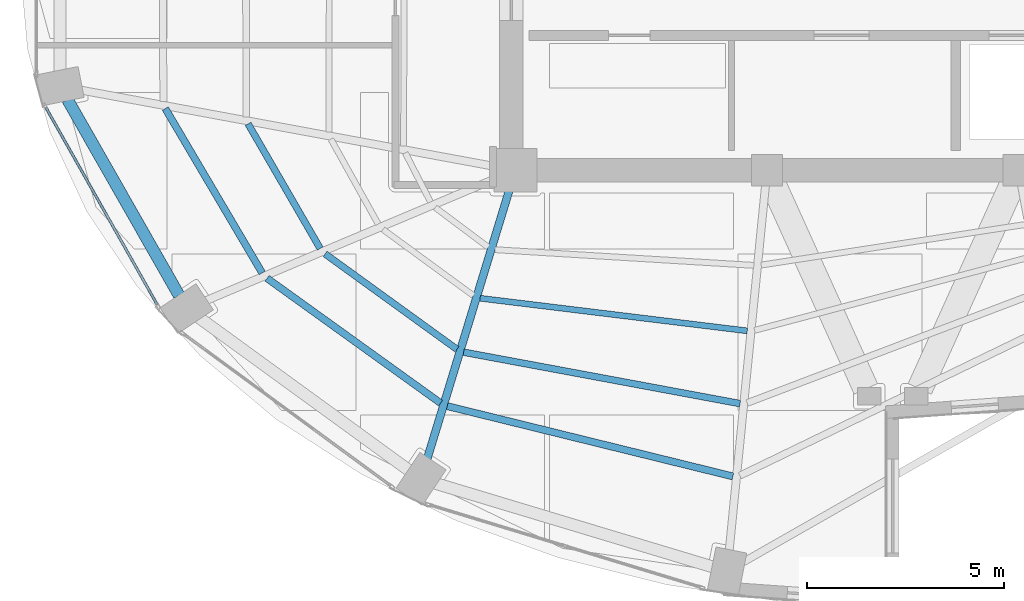
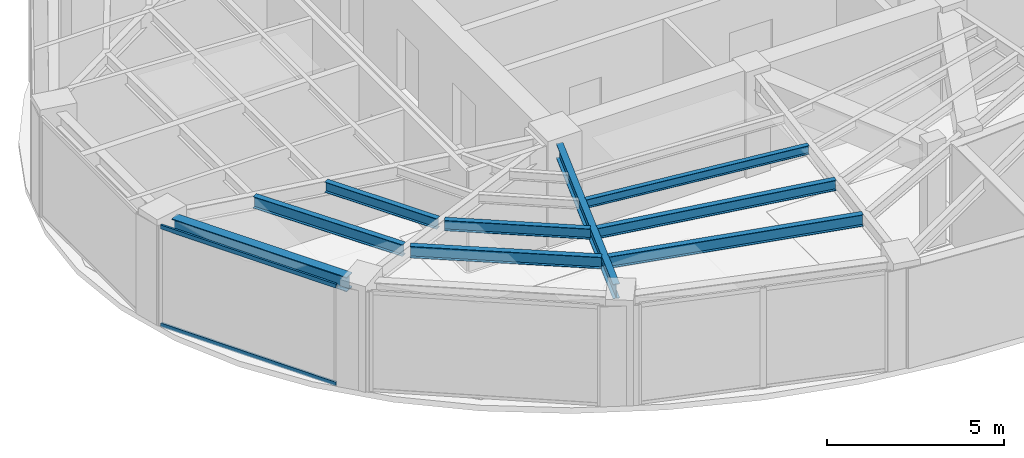
# One storey, part 3 of 23: 9 beams, 2 members, 1 element without a shape of its own.
"""IFC4 building model written with IfcOpenShell, lengths in metres."""

from ifc_helpers import new_model, si_unit, direction, frame, origin, origin_2d, place, context, subcontext, project, spatial, hollow_rectangle, i_section, extrude, material, layer, layer_set, material_profile, profile_set, type_object, element, aggregate, save


model = new_model("IFC4")

# Units and contexts
model_context = context("Model", 3, precision=1e-05, world=origin(), true_north=direction((0.0, 1.0)))
body_context = subcontext(model_context, "Body", "Model", "MODEL_VIEW")
ifc_project = project(units=[si_unit("LENGTHUNIT", "METRE"), si_unit("AREAUNIT", "SQUARE_METRE"), si_unit("VOLUMEUNIT", "CUBIC_METRE"), si_unit("PLANEANGLEUNIT", "RADIAN"), si_unit("MASSUNIT", "GRAM", prefix="KILO")], contexts=[model_context])

# Site, building, storey
site_placement = place(None, origin())
site = spatial("IfcSite", under=ifc_project, at=site_placement, CompositionType="ELEMENT")
building_placement = place(site_placement, origin())
building = spatial("IfcBuilding", under=site, at=building_placement, Name="Lazwardi Medical Tower", CompositionType="ELEMENT")
storey_placement = place(building_placement, frame((0.0, 0.0, 213.072021484375)))
storey = spatial("IfcBuildingStorey", under=building, at=storey_placement, Name="L55", CompositionType="ELEMENT", Elevation=213.072021484375)

# Beams
ifc_material_1 = material(Name="Steel S355", Category="steel")
ifc_material_profile_1 = material_profile(ifc_material_1, i_section(OverallWidth=0.300048828125, OverallDepth=0.5, WebThickness=0.014404296875, FlangeThickness=0.028076171875, at=origin_2d()), Name="HEB 500")
ifc_profile_set_1 = profile_set([ifc_material_profile_1], Name="Steel S355")
beam_type_1 = type_object("IfcBeamType", Name="BM-RB-Z4", PredefinedType="BEAM", material=ifc_profile_set_1)
beam_1_placement = place(storey_placement, frame((15.008056640625, 22.1982421875, 3.197998046875), z_axis=(0.495125273299, -0.868821594886, 0.0), x_axis=(0.868821594886, 0.495125273299, 0.0)))
element("IfcBeam", 1, at=beam_1_placement, inside=storey, type_object=beam_type_1, Name="Ring beam RB-05 B13 L55", PredefinedType="BEAM", context=body_context, shape_type="SweptSolid", body=[
    extrude(i_section(OverallWidth=0.300048828125, OverallDepth=0.5, WebThickness=0.014404296875, FlangeThickness=0.028076171875, at=origin_2d()), origin(), (0.0, 0.0, 1.0), 5.734130859375),
])
ifc_material_profile_2 = material_profile(ifc_material_1, i_section(OverallWidth=0.199951171875, OverallDepth=0.5, WebThickness=0.01025390625, FlangeThickness=0.01611328125, at=origin_2d()), Name="IPE 500")
ifc_profile_set_2 = profile_set([ifc_material_profile_2], Name="Steel S355")
beam_type_2 = type_object("IfcBeamType", Name="BM-RG-W3", PredefinedType="BEAM", material=ifc_profile_set_2)
beam_2_placement = place(storey_placement, frame((24.156005859375, 13.0576171875, 3.197998046875), z_axis=(0.292276716539, 0.956333791607, 0.0), x_axis=(-0.956333791607, 0.292276716539, 0.0)))
element("IfcBeam", 2, at=beam_2_placement, inside=storey, type_object=beam_type_2, Name="Radial girder RG-04 R15 L55", PredefinedType="BEAM", context=body_context, shape_type="SweptSolid", body=[
    extrude(i_section(OverallWidth=0.199951171875, OverallDepth=0.5, WebThickness=0.01025390625, FlangeThickness=0.01611328125, at=origin_2d()), origin(), (0.0, 0.0, 1.0), 7.142822265625),
])
ifc_material_profile_3 = material_profile(ifc_material_1, i_section(OverallWidth=0.179931640625, OverallDepth=0.39990234375, WebThickness=0.008544921875, FlangeThickness=0.013427734375, at=origin_2d()), Name="IPE 400")
ifc_profile_set_3 = profile_set([ifc_material_profile_3], Name="Steel S355")
beam_type_3 = type_object("IfcBeamType", Name="BM-SJ-01", PredefinedType="JOIST", material=ifc_profile_set_3)
beam_3_placement = place(storey_placement, frame((17.495849609375, 21.969482421875, 3.248046875), z_axis=(0.507710311367, -0.861527851977, 0.0), x_axis=(0.861527851977, 0.507710311367, 0.0)))
element("IfcBeam", 3, at=beam_3_placement, inside=storey, type_object=beam_type_3, Name="Secondary joist SJ-01 R1 B13 L55", PredefinedType="JOIST", context=body_context, shape_type="SweptSolid", body=[
    extrude(i_section(OverallWidth=0.179931640625, OverallDepth=0.39990234375, WebThickness=0.008544921875, FlangeThickness=0.013427734375, at=origin_2d()), origin(), (0.0, 0.0, 1.0), 4.852783203125),
])
beam_4_placement = place(storey_placement, frame((20.085205078125, 17.651123046875, 3.248046875), z_axis=(0.811889581337, -0.58381102055, 0.0), x_axis=(0.58381102055, 0.811889581337, 0.0)))
element("IfcBeam", 4, at=beam_4_placement, inside=storey, type_object=beam_type_3, Name="Secondary joist SJ-01 R1 B14 L55", PredefinedType="JOIST", context=body_context, shape_type="SweptSolid", body=[
    extrude(i_section(OverallWidth=0.179931640625, OverallDepth=0.39990234375, WebThickness=0.008544921875, FlangeThickness=0.013427734375, at=origin_2d()), origin(), (0.0, 0.0, 1.0), 5.433349609375),
])
beam_5_placement = place(storey_placement, frame((24.665771484375, 14.40087890625, 3.248046875), z_axis=(0.971041669317, -0.238910184904, 0.0), x_axis=(0.238910184904, 0.971041669317, 0.0)))
element("IfcBeam", 5, at=beam_5_placement, inside=storey, type_object=beam_type_3, Name="Secondary joist SJ-01 R1 B15 L55", PredefinedType="JOIST", context=body_context, shape_type="SweptSolid", body=[
    extrude(i_section(OverallWidth=0.179931640625, OverallDepth=0.39990234375, WebThickness=0.008544921875, FlangeThickness=0.013427734375, at=origin_2d()), origin(), (0.0, 0.0, 1.0), 7.482421875),
])
ifc_material_profile_4 = material_profile(ifc_material_1, i_section(OverallWidth=0.169921875, OverallDepth=0.360107421875, WebThickness=0.008056640625, FlangeThickness=0.0126953125, at=origin_2d()), Name="IPE 360")
ifc_profile_set_4 = profile_set([ifc_material_profile_4], Name="Steel S355")
beam_type_4 = type_object("IfcBeamType", Name="BM-SJ-02", PredefinedType="JOIST", material=ifc_profile_set_4)
beam_6_placement = place(storey_placement, frame((19.601806640625, 21.58056640625, 3.26806640625), z_axis=(0.500655179543, -0.865646805109, 0.0), x_axis=(0.865646805109, 0.500655179543, 0.0)))
element("IfcBeam", 6, at=beam_6_placement, inside=storey, type_object=beam_type_4, Name="Secondary joist SJ-02 R2 B13 L55", PredefinedType="JOIST", context=body_context, shape_type="SweptSolid", body=[
    extrude(i_section(OverallWidth=0.169921875, OverallDepth=0.360107421875, WebThickness=0.008056640625, FlangeThickness=0.0126953125, at=origin_2d()), origin(), (0.0, 0.0, 1.0), 3.662109375),
])
beam_7_placement = place(storey_placement, frame((21.559814453125, 18.2724609375, 3.26806640625), z_axis=(0.810164229155, -0.586202969796, 0.0), x_axis=(0.586202969796, 0.810164229155, 0.0)))
element("IfcBeam", 7, at=beam_7_placement, inside=storey, type_object=beam_type_4, Name="Secondary joist SJ-02 R2 B14 L55", PredefinedType="JOIST", context=body_context, shape_type="SweptSolid", body=[
    extrude(i_section(OverallWidth=0.169921875, OverallDepth=0.360107421875, WebThickness=0.008056640625, FlangeThickness=0.0126953125, at=origin_2d()), origin(), (0.0, 0.0, 1.0), 4.14013671875),
])
beam_8_placement = place(storey_placement, frame((25.08447265625, 15.7724609375, 3.26806640625), z_axis=(0.983132476587, -0.182894870019, 0.0), x_axis=(0.182894870019, 0.983132476587, 0.0)))
element("IfcBeam", 8, at=beam_8_placement, inside=storey, type_object=beam_type_4, Name="Secondary joist SJ-02 R2 B15 L55", PredefinedType="JOIST", context=body_context, shape_type="SweptSolid", body=[
    extrude(i_section(OverallWidth=0.169921875, OverallDepth=0.360107421875, WebThickness=0.008056640625, FlangeThickness=0.0126953125, at=origin_2d()), origin(), (0.0, 0.0, 1.0), 7.15087890625),
])
ifc_material_profile_5 = material_profile(ifc_material_1, i_section(OverallWidth=0.14990234375, OverallDepth=0.300048828125, WebThickness=0.007080078125, FlangeThickness=0.0107421875, at=origin_2d()), Name="IPE 300")
ifc_profile_set_5 = profile_set([ifc_material_profile_5], Name="Steel S355")
beam_type_5 = type_object("IfcBeamType", Name="BM-SJ-03", PredefinedType="JOIST", material=ifc_profile_set_5)
beam_9_placement = place(storey_placement, frame((25.5029296875, 17.14453125, 3.298095703125), z_axis=(0.992634689535, -0.121146081783, 0.0), x_axis=(0.121146081783, 0.992634689535, 0.0)))
element("IfcBeam", 9, at=beam_9_placement, inside=storey, type_object=beam_type_5, Name="Secondary joist SJ-03 R3 B15 L55", PredefinedType="JOIST", context=body_context, shape_type="SweptSolid", body=[
    extrude(i_section(OverallWidth=0.14990234375, OverallDepth=0.300048828125, WebThickness=0.007080078125, FlangeThickness=0.0107421875, at=origin_2d()), origin(), (0.0, 0.0, 1.0), 6.845947265625),
])

# Curtain wall, members
ifc_material_2 = material(Name="Anodised bronze aluminium and solar control glazing", Category="aluminium")
ifc_layer = layer(ifc_material_2, 0.18994140625)
ifc_layer_set = layer_set([ifc_layer], Name="Anodised bronze aluminium and solar control glazing")
curtain_wall_type = type_object("IfcCurtainWallType", Name="CW-SYS-04", PredefinedType="NOTDEFINED", material=ifc_layer_set)
curtain_wall_placement = place(storey_placement, origin())
curtain_wall = element("IfcCurtainWall", 10, at=curtain_wall_placement, inside=storey, type_object=curtain_wall_type, Name="L55 Unitised bronze curtain wall CW-04", PredefinedType="NOTDEFINED")
ifc_material_3 = material(Name="Anodised bronze aluminium", Category="aluminium")
ifc_material_profile_6 = material_profile(ifc_material_3, hollow_rectangle(XDim=0.06494140625, YDim=0.139892578125, WallThickness=0.00341796875, at=origin_2d()), Name="ALU-TRANSOM 140x65x3.5")
ifc_profile_set_6 = profile_set([ifc_material_profile_6], Name="Anodised bronze aluminium")
member_type = type_object("IfcMemberType", Name="CW-TRN-03", PredefinedType="USERDEFINED", material=ifc_profile_set_6)
member_1_placement = place(storey_placement, frame((14.458740234375, 21.993408203125, 0.032470703125), z_axis=(0.491897887635, -0.870652897623, 0.0), x_axis=(0.870652897623, 0.491897887635, 0.0)))
member_1 = element("IfcMember", 11, at=member_1_placement, type_object=member_type, Name="CW-04 transom 1.1", ObjectType="TRANSOM", PredefinedType="USERDEFINED", context=body_context, shape_type="SweptSolid", body=[
    extrude(hollow_rectangle(XDim=0.06494140625, YDim=0.139892578125, WallThickness=0.00341796875, at=origin_2d()), origin(), (0.0, 0.0, 1.0), 5.7548828125),
])
member_2_placement = place(storey_placement, frame((14.458740234375, 21.993408203125, 3.41552734375), z_axis=(0.491897887635, -0.870652897623, 0.0), x_axis=(0.870652897623, 0.491897887635, 0.0)))
member_2 = element("IfcMember", 12, at=member_2_placement, type_object=member_type, Name="CW-04 transom 1.2", ObjectType="TRANSOM", PredefinedType="USERDEFINED", context=body_context, shape_type="SweptSolid", body=[
    extrude(hollow_rectangle(XDim=0.06494140625, YDim=0.139892578125, WallThickness=0.00341796875, at=origin_2d()), origin(), (0.0, 0.0, 1.0), 5.7548828125),
])
aggregate(curtain_wall, [member_1, member_2])

save(model, "model.ifc")
